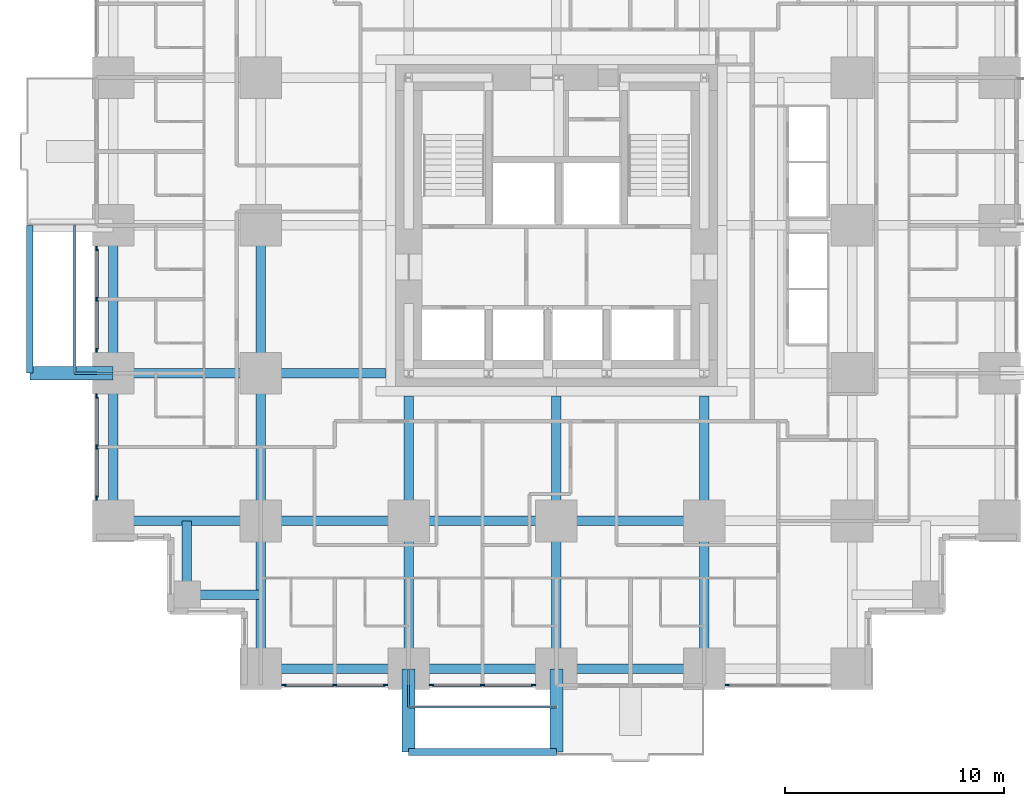
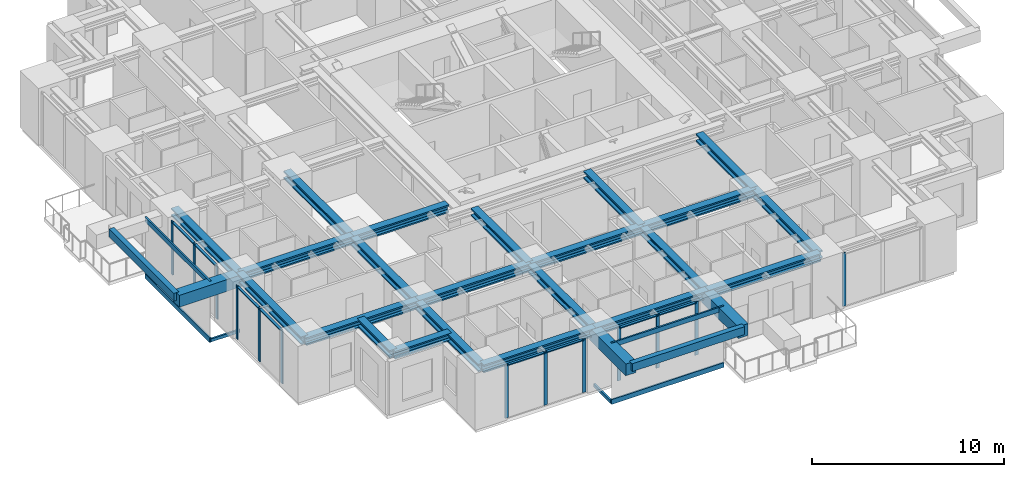
# One storey, part 2 of 15: 27 beams, 27 members, 5 elements without a shape of their own.
"""IFC4 building model written with IfcOpenShell, lengths in metres."""

from ifc_helpers import new_model, si_unit, direction, frame, origin, origin_2d, place, context, subcontext, project, spatial, rectangle, hollow_rectangle, i_section, extrude, material, material_profile, profile_set, type_object, element, aggregate, save


model = new_model("IFC4")

# Units and contexts
model_context = context("Model", 3, precision=1e-05, world=origin(), true_north=direction((0.0, 1.0)))
body_context = subcontext(model_context, "Body", "Model", "MODEL_VIEW")
ifc_project = project(units=[si_unit("LENGTHUNIT", "METRE"), si_unit("AREAUNIT", "SQUARE_METRE"), si_unit("VOLUMEUNIT", "CUBIC_METRE"), si_unit("PLANEANGLEUNIT", "RADIAN"), si_unit("MASSUNIT", "GRAM", prefix="KILO")], contexts=[model_context])

# Site, building, storey
site_placement = place(None, origin())
site = spatial("IfcSite", under=ifc_project, at=site_placement, CompositionType="ELEMENT")
building_placement = place(site_placement, origin())
building = spatial("IfcBuilding", under=site, at=building_placement, Name="Nyansa Garden Tower", CompositionType="ELEMENT")
storey_placement = place(building_placement, frame((0.0, 0.0, 36.0)))
storey = spatial("IfcBuildingStorey", under=building, at=storey_placement, Name="L09", CompositionType="ELEMENT", Elevation=36.0)

# Beams
ifc_material_1 = material(Name="Concrete C70/85", Category="concrete")
ifc_material_profile_1 = material_profile(ifc_material_1, rectangle(XDim=0.60009765625, YDim=0.75, at=origin_2d()), Name="RC 600x750")
ifc_profile_set_1 = profile_set([ifc_material_profile_1], Name="Concrete C70/85")
beam_type_1 = type_object("IfcBeamType", Name="Balcony cantilever beam CB1 RC 600x750", PredefinedType="BEAM", material=ifc_profile_set_1)
for number, where, z_axis, x_axis, name in (
    (1, (13.5, 0.0, 2.985107421875), (0.0, -1.0, 0.0), (1.0, 0.0, 0.0), "Balcony cantilever beam L10"),
    (2, (20.25, 0.0, 2.985107421875), (0.0, -1.0, 0.0), (1.0, 0.0, 0.0), "Balcony cantilever beam L10"),
    (3, (0.0, 13.5, 2.985107421875), (-1.0, 0.0, 0.0), (0.0, -1.0, 0.0), "Balcony cantilever beam L10"),
):
    element("IfcBeam", number, at=place(storey_placement, frame(where, z_axis=z_axis, x_axis=x_axis)), inside=storey, type_object=beam_type_1, Name=name, PredefinedType="BEAM", context=body_context, shape_type="SweptSolid", body=[
        extrude(rectangle(XDim=0.60009765625, YDim=0.75, at=origin_2d()), origin(), (0.0, 0.0, 1.0), 3.800048828125),
    ])
ifc_material_2 = material(Name="Concrete C70/85", Category="concrete")
ifc_material_profile_2 = material_profile(ifc_material_2, rectangle(XDim=0.300048828125, YDim=0.5, at=origin_2d()), Name="RC 300x500")
ifc_profile_set_2 = profile_set([ifc_material_profile_2], Name="Concrete C70/85")
beam_type_2 = type_object("IfcBeamType", Name="Balcony edge beam BE1 RC 300x500", PredefinedType="BEAM", material=ifc_profile_set_2)
for number, where, z_axis, x_axis, name in (
    (4, (13.5, -3.800048828125, 3.110107421875), (1.0, 0.0, 0.0), (0.0, 1.0, 0.0), "Balcony edge beam L10"),
    (5, (-3.800048828125, 13.5, 3.110107421875), (0.0, 1.0, 0.0), (-1.0, 0.0, 0.0), "Balcony edge beam L10"),
):
    element("IfcBeam", number, at=place(storey_placement, frame(where, z_axis=z_axis, x_axis=x_axis)), inside=storey, type_object=beam_type_2, Name=name, PredefinedType="BEAM", context=body_context, shape_type="SweptSolid", body=[
        extrude(rectangle(XDim=0.300048828125, YDim=0.5, at=origin_2d()), origin(), (0.0, 0.0, 1.0), 6.75),
    ])

# Curtain wall, members
ifc_material_3 = material(Name="Black anodised aluminium, dark tinted double glazing", Category="aluminium")
curtain_wall_type = type_object("IfcCurtainWallType", Name="Inner skin curtain wall ISW-A", PredefinedType="USERDEFINED", material=ifc_material_3)
curtain_wall_1_placement = place(storey_placement, origin())
curtain_wall_1 = element("IfcCurtainWall", 6, at=curtain_wall_1_placement, inside=storey, type_object=curtain_wall_type, Name="Inner skin curtain wall L09 W", ObjectType="UNITISED CURTAIN WALL", PredefinedType="USERDEFINED")
ifc_material_4 = material(Name="Black anodised aluminium", Category="aluminium")
ifc_material_profile_3 = material_profile(ifc_material_4, rectangle(XDim=0.06494140625, YDim=0.199951171875, at=origin_2d()), Name="Mullion 200x65")
ifc_profile_set_3 = profile_set([ifc_material_profile_3], Name="Black anodised aluminium")
member_type_1 = type_object("IfcMemberType", Name="Mullion ISW-A 200x65", PredefinedType="MULLION", material=ifc_profile_set_3)
member_1_placement = place(storey_placement, frame((-0.75, 19.199951171875, 0.0), z_axis=(0.0, 0.0, 1.0), x_axis=(1.0, 0.0, 0.0)))
member_1 = element("IfcMember", 7, at=member_1_placement, type_object=member_type_1, Name="ISW-A mullion 1", PredefinedType="MULLION", context=body_context, shape_type="SweptSolid", body=[
    extrude(rectangle(XDim=0.06494140625, YDim=0.199951171875, at=origin_2d()), origin(), (0.0, 0.0, 1.0), 3.375),
])
member_2_placement = place(storey_placement, frame((-0.75, 16.875, 0.0), z_axis=(0.0, 0.0, 1.0), x_axis=(1.0, 0.0, 0.0)))
member_2 = element("IfcMember", 8, at=member_2_placement, type_object=member_type_1, Name="ISW-A mullion 2", PredefinedType="MULLION", context=body_context, shape_type="SweptSolid", body=[
    extrude(rectangle(XDim=0.06494140625, YDim=0.199951171875, at=origin_2d()), origin(), (0.0, 0.0, 1.0), 3.375),
])
member_3_placement = place(storey_placement, frame((-0.75, 14.550048828125, 0.0), z_axis=(0.0, 0.0, 1.0), x_axis=(1.0, 0.0, 0.0)))
member_3 = element("IfcMember", 9, at=member_3_placement, type_object=member_type_1, Name="ISW-A mullion 3", PredefinedType="MULLION", context=body_context, shape_type="SweptSolid", body=[
    extrude(rectangle(XDim=0.06494140625, YDim=0.199951171875, at=origin_2d()), origin(), (0.0, 0.0, 1.0), 3.375),
])

curtain_wall_2_placement = place(storey_placement, origin())
curtain_wall_2 = element("IfcCurtainWall", 10, at=curtain_wall_2_placement, inside=storey, type_object=curtain_wall_type, Name="Inner skin curtain wall L09 W", ObjectType="UNITISED CURTAIN WALL", PredefinedType="USERDEFINED")
member_4_placement = place(storey_placement, frame((-0.75, 12.449951171875, 0.0), z_axis=(0.0, 0.0, 1.0), x_axis=(1.0, 0.0, 0.0)))
member_4 = element("IfcMember", 11, at=member_4_placement, type_object=member_type_1, Name="ISW-A mullion 1", PredefinedType="MULLION", context=body_context, shape_type="SweptSolid", body=[
    extrude(rectangle(XDim=0.06494140625, YDim=0.199951171875, at=origin_2d()), origin(), (0.0, 0.0, 1.0), 3.375),
])
member_5_placement = place(storey_placement, frame((-0.75, 10.125, 0.0), z_axis=(0.0, 0.0, 1.0), x_axis=(1.0, 0.0, 0.0)))
member_5 = element("IfcMember", 12, at=member_5_placement, type_object=member_type_1, Name="ISW-A mullion 2", PredefinedType="MULLION", context=body_context, shape_type="SweptSolid", body=[
    extrude(rectangle(XDim=0.06494140625, YDim=0.199951171875, at=origin_2d()), origin(), (0.0, 0.0, 1.0), 3.375),
])
member_6_placement = place(storey_placement, frame((-0.75, 7.800048828125, 0.0), z_axis=(0.0, 0.0, 1.0), x_axis=(1.0, 0.0, 0.0)))
member_6 = element("IfcMember", 13, at=member_6_placement, type_object=member_type_1, Name="ISW-A mullion 3", PredefinedType="MULLION", context=body_context, shape_type="SweptSolid", body=[
    extrude(rectangle(XDim=0.06494140625, YDim=0.199951171875, at=origin_2d()), origin(), (0.0, 0.0, 1.0), 3.375),
])

curtain_wall_3_placement = place(storey_placement, origin())
curtain_wall_3 = element("IfcCurtainWall", 14, at=curtain_wall_3_placement, inside=storey, type_object=curtain_wall_type, Name="Inner skin curtain wall L09 S", ObjectType="UNITISED CURTAIN WALL", PredefinedType="USERDEFINED")
member_7_placement = place(storey_placement, frame((7.800048828125, -0.75, 0.0), z_axis=(0.0, 0.0, 1.0), x_axis=(0.0, 1.0, 0.0)))
member_7 = element("IfcMember", 15, at=member_7_placement, type_object=member_type_1, Name="ISW-A mullion 1", PredefinedType="MULLION", context=body_context, shape_type="SweptSolid", body=[
    extrude(rectangle(XDim=0.06494140625, YDim=0.199951171875, at=origin_2d()), origin(), (0.0, 0.0, 1.0), 3.375),
])
member_8_placement = place(storey_placement, frame((10.125, -0.75, 0.0), z_axis=(0.0, 0.0, 1.0), x_axis=(0.0, 1.0, 0.0)))
member_8 = element("IfcMember", 16, at=member_8_placement, type_object=member_type_1, Name="ISW-A mullion 2", PredefinedType="MULLION", context=body_context, shape_type="SweptSolid", body=[
    extrude(rectangle(XDim=0.06494140625, YDim=0.199951171875, at=origin_2d()), origin(), (0.0, 0.0, 1.0), 3.375),
])
member_9_placement = place(storey_placement, frame((12.449951171875, -0.75, 0.0), z_axis=(0.0, 0.0, 1.0), x_axis=(0.0, 1.0, 0.0)))
member_9 = element("IfcMember", 17, at=member_9_placement, type_object=member_type_1, Name="ISW-A mullion 3", PredefinedType="MULLION", context=body_context, shape_type="SweptSolid", body=[
    extrude(rectangle(XDim=0.06494140625, YDim=0.199951171875, at=origin_2d()), origin(), (0.0, 0.0, 1.0), 3.375),
])

curtain_wall_4_placement = place(storey_placement, origin())
curtain_wall_4 = element("IfcCurtainWall", 18, at=curtain_wall_4_placement, inside=storey, type_object=curtain_wall_type, Name="Inner skin curtain wall L09 S", ObjectType="UNITISED CURTAIN WALL", PredefinedType="USERDEFINED")
member_10_placement = place(storey_placement, frame((14.550048828125, -0.75, 0.0), z_axis=(0.0, 0.0, 1.0), x_axis=(0.0, 1.0, 0.0)))
member_10 = element("IfcMember", 19, at=member_10_placement, type_object=member_type_1, Name="ISW-A mullion 1", PredefinedType="MULLION", context=body_context, shape_type="SweptSolid", body=[
    extrude(rectangle(XDim=0.06494140625, YDim=0.199951171875, at=origin_2d()), origin(), (0.0, 0.0, 1.0), 3.375),
])
member_11_placement = place(storey_placement, frame((16.875, -0.75, 0.0), z_axis=(0.0, 0.0, 1.0), x_axis=(0.0, 1.0, 0.0)))
member_11 = element("IfcMember", 20, at=member_11_placement, type_object=member_type_1, Name="ISW-A mullion 2", PredefinedType="MULLION", context=body_context, shape_type="SweptSolid", body=[
    extrude(rectangle(XDim=0.06494140625, YDim=0.199951171875, at=origin_2d()), origin(), (0.0, 0.0, 1.0), 3.375),
])
member_12_placement = place(storey_placement, frame((19.199951171875, -0.75, 0.0), z_axis=(0.0, 0.0, 1.0), x_axis=(0.0, 1.0, 0.0)))
member_12 = element("IfcMember", 21, at=member_12_placement, type_object=member_type_1, Name="ISW-A mullion 3", PredefinedType="MULLION", context=body_context, shape_type="SweptSolid", body=[
    extrude(rectangle(XDim=0.06494140625, YDim=0.199951171875, at=origin_2d()), origin(), (0.0, 0.0, 1.0), 3.375),
])

# Curtain wall, member
curtain_wall_5_placement = place(storey_placement, origin())
curtain_wall_5 = element("IfcCurtainWall", 22, at=curtain_wall_5_placement, inside=storey, type_object=curtain_wall_type, Name="Inner skin curtain wall L09 S", ObjectType="UNITISED CURTAIN WALL", PredefinedType="USERDEFINED")
member_13_placement = place(storey_placement, frame((28.050048828125, -0.75, 0.0), z_axis=(0.0, 0.0, 1.0), x_axis=(0.0, 1.0, 0.0)))
member_13 = element("IfcMember", 23, at=member_13_placement, type_object=member_type_1, Name="ISW-A mullion 1", PredefinedType="MULLION", context=body_context, shape_type="SweptSolid", body=[
    extrude(rectangle(XDim=0.06494140625, YDim=0.199951171875, at=origin_2d()), origin(), (0.0, 0.0, 1.0), 3.375),
])
aggregate(curtain_wall_5, [member_13])

# Members
ifc_material_5 = material(Name="Steel S355, black powder coated", Category="steel")
ifc_material_profile_4 = material_profile(ifc_material_5, hollow_rectangle(XDim=0.10009765625, YDim=0.199951171875, WallThickness=0.008056640625, at=origin_2d()), Name="RHS 200x100x8")
ifc_profile_set_4 = profile_set([ifc_material_profile_4], Name="Steel S355, black powder coated")
member_type_2 = type_object("IfcMemberType", Name="Outer skin bracket arm RHS 200x100x8", PredefinedType="USERDEFINED", material=ifc_profile_set_4)
for number, where, z_axis, x_axis, name in (
    (24, (0.0, 13.5, -0.375), (-1.0, 0.0, 0.0), (0.0, -1.0, 0.0), "Outer skin bracket arm"),
    (25, (13.5, 0.0, -0.375), (0.0, -1.0, 0.0), (1.0, 0.0, 0.0), "Outer skin bracket arm"),
):
    element("IfcMember", number, at=place(storey_placement, frame(where, z_axis=z_axis, x_axis=x_axis)), inside=storey, type_object=member_type_2, Name=name, ObjectType="OUTER SKIN BRACKET", PredefinedType="USERDEFINED", context=body_context, shape_type="SweptSolid", body=[
        extrude(hollow_rectangle(XDim=0.10009765625, YDim=0.199951171875, WallThickness=0.008056640625, at=origin_2d()), origin(), (0.0, 0.0, 1.0), 1.75),
    ])
ifc_material_6 = material(Name="Steel S355, black powder coated", Category="steel")
ifc_material_profile_5 = material_profile(ifc_material_6, hollow_rectangle(XDim=0.10009765625, YDim=0.300048828125, WallThickness=0.010009765625, at=origin_2d()), Name="RHS 300x100x10")
ifc_profile_set_5 = profile_set([ifc_material_profile_5], Name="Steel S355, black powder coated")
member_type_3 = type_object("IfcMemberType", Name="Outer skin rail RHS 300x100x10", PredefinedType="USERDEFINED", material=ifc_profile_set_5)
for number, where, z_axis, x_axis, name in (
    (26, (-1.75, 13.5, -0.375), (0.0, 1.0, 0.0), (-1.0, 0.0, 0.0), "Outer skin rail L09"),
    (27, (-1.75, 13.5, 3.22509765625), (0.0, 1.0, 0.0), (-1.0, 0.0, 0.0), "Outer skin rail L09 head"),
    (28, (13.5, -1.75, -0.375), (1.0, 0.0, 0.0), (0.0, 1.0, 0.0), "Outer skin rail L09"),
    (29, (13.5, -1.75, 3.22509765625), (1.0, 0.0, 0.0), (0.0, 1.0, 0.0), "Outer skin rail L09 head"),
):
    element("IfcMember", number, at=place(storey_placement, frame(where, z_axis=z_axis, x_axis=x_axis)), inside=storey, type_object=member_type_3, Name=name, ObjectType="OUTER SKIN RAIL", PredefinedType="USERDEFINED", context=body_context, shape_type="SweptSolid", body=[
        extrude(hollow_rectangle(XDim=0.10009765625, YDim=0.300048828125, WallThickness=0.010009765625, at=origin_2d()), origin(), (0.0, 0.0, 1.0), 6.75),
    ])

# Beams
ifc_material_7 = material(Name="Steel S355", Category="steel")
ifc_material_profile_6 = material_profile(ifc_material_7, i_section(OverallWidth=0.431884765625, OverallDepth=0.498046875, WebThickness=0.0556640625, FlangeThickness=0.0888671875, FilletRadius=0.014892578125, at=origin_2d()), Name="HD 400x744")
ifc_profile_set_6 = profile_set([ifc_material_profile_6], Name="Steel S355")
beam_type_3 = type_object("IfcBeamType", Name="Steel beam SBA1-744 HD 400x744", PredefinedType="BEAM", material=ifc_profile_set_6)
for number, where, z_axis, x_axis, name in (
    (30, (0.0, 6.75, 3.1259765625), (1.0, 0.0, 0.0), (0.0, 1.0, 0.0), "Steel beam 2/E-3/E L10"),
    (31, (0.0, 13.5, 3.1259765625), (1.0, 0.0, 0.0), (0.0, 1.0, 0.0), "Steel beam 2/F-3/F L10"),
    (32, (6.75, 0.0, 3.1259765625), (0.0, 1.0, 0.0), (-1.0, 0.0, 0.0), "Steel beam 3/D-3/E L10"),
    (33, (6.75, 6.75, 3.1259765625), (0.0, 1.0, 0.0), (-1.0, 0.0, 0.0), "Steel beam 3/E-3/F L10"),
    (34, (6.75, 6.75, 3.1259765625), (1.0, 0.0, 0.0), (0.0, 1.0, 0.0), "Steel beam 3/E-4/E L10"),
    (35, (6.75, 13.5, 3.1259765625), (0.0, 1.0, 0.0), (-1.0, 0.0, 0.0), "Steel beam 3/F-3/G L10"),
):
    element("IfcBeam", number, at=place(storey_placement, frame(where, z_axis=z_axis, x_axis=x_axis)), inside=storey, type_object=beam_type_3, Name=name, PredefinedType="BEAM", context=body_context, shape_type="SweptSolid", body=[
        extrude(i_section(OverallWidth=0.431884765625, OverallDepth=0.498046875, WebThickness=0.0556640625, FlangeThickness=0.0888671875, FilletRadius=0.014892578125, at=origin_2d()), origin(), (0.0, 0.0, 1.0), 6.75),
    ])
beam_1_placement = place(storey_placement, frame((6.75, 13.5, 3.1259765625), z_axis=(1.0, 0.0, 0.0), x_axis=(0.0, 1.0, 0.0)))
element("IfcBeam", 36, at=beam_1_placement, inside=storey, type_object=beam_type_3, Name="Steel beam 3/F-12.450/F L10", PredefinedType="BEAM", context=body_context, shape_type="SweptSolid", body=[
    extrude(i_section(OverallWidth=0.431884765625, OverallDepth=0.498046875, WebThickness=0.0556640625, FlangeThickness=0.0888671875, FilletRadius=0.014892578125, at=origin_2d()), origin(), (0.0, 0.0, 1.0), 5.699951171875),
])
beam_2_placement = place(storey_placement, frame((13.5, 0.0, 3.1259765625), z_axis=(0.0, 1.0, 0.0), x_axis=(-1.0, 0.0, 0.0)))
element("IfcBeam", 37, at=beam_2_placement, inside=storey, type_object=beam_type_3, Name="Steel beam 4/D-4/E L10", PredefinedType="BEAM", context=body_context, shape_type="SweptSolid", body=[
    extrude(i_section(OverallWidth=0.431884765625, OverallDepth=0.498046875, WebThickness=0.0556640625, FlangeThickness=0.0888671875, FilletRadius=0.014892578125, at=origin_2d()), origin(), (0.0, 0.0, 1.0), 6.75),
])
beam_3_placement = place(storey_placement, frame((13.5, 6.75, 3.1259765625), z_axis=(0.0, 1.0, 0.0), x_axis=(-1.0, 0.0, 0.0)))
element("IfcBeam", 38, at=beam_3_placement, inside=storey, type_object=beam_type_3, Name="Steel beam 4/E-4/12.450 L10", PredefinedType="BEAM", context=body_context, shape_type="SweptSolid", body=[
    extrude(i_section(OverallWidth=0.431884765625, OverallDepth=0.498046875, WebThickness=0.0556640625, FlangeThickness=0.0888671875, FilletRadius=0.014892578125, at=origin_2d()), origin(), (0.0, 0.0, 1.0), 5.699951171875),
])
for number, where, z_axis, x_axis, name in (
    (39, (13.5, 6.75, 3.1259765625), (1.0, 0.0, 0.0), (0.0, 1.0, 0.0), "Steel beam 4/E-5/E L10"),
    (40, (20.25, 0.0, 3.1259765625), (0.0, 1.0, 0.0), (-1.0, 0.0, 0.0), "Steel beam 5/D-5/E L10"),
):
    element("IfcBeam", number, at=place(storey_placement, frame(where, z_axis=z_axis, x_axis=x_axis)), inside=storey, type_object=beam_type_3, Name=name, PredefinedType="BEAM", context=body_context, shape_type="SweptSolid", body=[
        extrude(i_section(OverallWidth=0.431884765625, OverallDepth=0.498046875, WebThickness=0.0556640625, FlangeThickness=0.0888671875, FilletRadius=0.014892578125, at=origin_2d()), origin(), (0.0, 0.0, 1.0), 6.75),
    ])
beam_4_placement = place(storey_placement, frame((20.25, 6.75, 3.1259765625), z_axis=(0.0, 1.0, 0.0), x_axis=(-1.0, 0.0, 0.0)))
element("IfcBeam", 41, at=beam_4_placement, inside=storey, type_object=beam_type_3, Name="Steel beam 5/E-5/12.450 L10", PredefinedType="BEAM", context=body_context, shape_type="SweptSolid", body=[
    extrude(i_section(OverallWidth=0.431884765625, OverallDepth=0.498046875, WebThickness=0.0556640625, FlangeThickness=0.0888671875, FilletRadius=0.014892578125, at=origin_2d()), origin(), (0.0, 0.0, 1.0), 5.699951171875),
])
for number, where, z_axis, x_axis, name in (
    (42, (20.25, 6.75, 3.1259765625), (1.0, 0.0, 0.0), (0.0, 1.0, 0.0), "Steel beam 5/E-6/E L10"),
    (43, (27.0, 0.0, 3.1259765625), (0.0, 1.0, 0.0), (-1.0, 0.0, 0.0), "Steel beam 6/D-6/E L10"),
):
    element("IfcBeam", number, at=place(storey_placement, frame(where, z_axis=z_axis, x_axis=x_axis)), inside=storey, type_object=beam_type_3, Name=name, PredefinedType="BEAM", context=body_context, shape_type="SweptSolid", body=[
        extrude(i_section(OverallWidth=0.431884765625, OverallDepth=0.498046875, WebThickness=0.0556640625, FlangeThickness=0.0888671875, FilletRadius=0.014892578125, at=origin_2d()), origin(), (0.0, 0.0, 1.0), 6.75),
    ])
beam_5_placement = place(storey_placement, frame((27.0, 6.75, 3.1259765625), z_axis=(0.0, 1.0, 0.0), x_axis=(-1.0, 0.0, 0.0)))
element("IfcBeam", 44, at=beam_5_placement, inside=storey, type_object=beam_type_3, Name="Steel beam 6/E-6/12.450 L10", PredefinedType="BEAM", context=body_context, shape_type="SweptSolid", body=[
    extrude(i_section(OverallWidth=0.431884765625, OverallDepth=0.498046875, WebThickness=0.0556640625, FlangeThickness=0.0888671875, FilletRadius=0.014892578125, at=origin_2d()), origin(), (0.0, 0.0, 1.0), 5.699951171875),
])
ifc_material_8 = material(Name="Steel S355", Category="steel")
ifc_material_profile_7 = material_profile(ifc_material_8, i_section(OverallWidth=0.431884765625, OverallDepth=0.498046875, WebThickness=0.0556640625, FlangeThickness=0.0888671875, FilletRadius=0.014892578125, at=origin_2d()), Name="HD 400x744")
ifc_profile_set_7 = profile_set([ifc_material_profile_7], Name="Steel S355")
beam_type_4 = type_object("IfcBeamType", Name="Steel beam SEBA-744 HD 400x744", PredefinedType="BEAM", material=ifc_profile_set_7)
for number, where, z_axis, x_axis, name in (
    (45, (0.0, 6.75, 3.1259765625), (0.0, 1.0, 0.0), (-1.0, 0.0, 0.0), "Steel edge beam 2/E-2/F L10"),
    (46, (0.0, 13.5, 3.1259765625), (0.0, 1.0, 0.0), (-1.0, 0.0, 0.0), "Steel edge beam 2/F-2/G L10"),
    (47, (6.75, 0.0, 3.1259765625), (1.0, 0.0, 0.0), (0.0, 1.0, 0.0), "Steel edge beam 3/D-4/D L10"),
    (48, (13.5, 0.0, 3.1259765625), (1.0, 0.0, 0.0), (0.0, 1.0, 0.0), "Steel edge beam 4/D-5/D L10"),
    (49, (20.25, 0.0, 3.1259765625), (1.0, 0.0, 0.0), (0.0, 1.0, 0.0), "Steel edge beam 5/D-6/D L10"),
):
    element("IfcBeam", number, at=place(storey_placement, frame(where, z_axis=z_axis, x_axis=x_axis)), inside=storey, type_object=beam_type_4, Name=name, PredefinedType="BEAM", context=body_context, shape_type="SweptSolid", body=[
        extrude(i_section(OverallWidth=0.431884765625, OverallDepth=0.498046875, WebThickness=0.0556640625, FlangeThickness=0.0888671875, FilletRadius=0.014892578125, at=origin_2d()), origin(), (0.0, 0.0, 1.0), 6.75),
    ])
ifc_material_9 = material(Name="Steel S355", Category="steel")
ifc_material_profile_8 = material_profile(ifc_material_9, i_section(OverallWidth=0.431884765625, OverallDepth=0.498046875, WebThickness=0.0556640625, FlangeThickness=0.0888671875, FilletRadius=0.014892578125, at=origin_2d()), Name="HD 400x744")
ifc_profile_set_8 = profile_set([ifc_material_profile_8], Name="Steel S355")
beam_type_5 = type_object("IfcBeamType", Name="Steel beam SSB1-744 HD 400x744", PredefinedType="BEAM", material=ifc_profile_set_8)
for number, where, z_axis, x_axis, name in (
    (50, (3.375, 3.375, 3.1259765625), (0.0, 1.0, 0.0), (-1.0, 0.0, 0.0), "Steel step beam 3.375/3.375 L10"),
    (51, (3.375, 3.375, 3.1259765625), (1.0, 0.0, 0.0), (0.0, 1.0, 0.0), "Steel step beam 3.375/3.375 L10"),
):
    element("IfcBeam", number, at=place(storey_placement, frame(where, z_axis=z_axis, x_axis=x_axis)), inside=storey, type_object=beam_type_5, Name=name, PredefinedType="BEAM", context=body_context, shape_type="SweptSolid", body=[
        extrude(i_section(OverallWidth=0.431884765625, OverallDepth=0.498046875, WebThickness=0.0556640625, FlangeThickness=0.0888671875, FilletRadius=0.014892578125, at=origin_2d()), origin(), (0.0, 0.0, 1.0), 3.375),
    ])

# Member
ifc_material_10 = material(Name="Black anodised aluminium", Category="aluminium")
ifc_material_profile_9 = material_profile(ifc_material_10, rectangle(XDim=0.14990234375, YDim=0.06494140625, at=origin_2d()), Name="Transom 150x65")
ifc_profile_set_9 = profile_set([ifc_material_profile_9], Name="Black anodised aluminium")
member_type_4 = type_object("IfcMemberType", Name="Transom ISW-A 150x65", PredefinedType="USERDEFINED", material=ifc_profile_set_9)
member_14_placement = place(storey_placement, frame((-0.75, 19.16748046875, 3.342529296875), z_axis=(0.0, -1.0, 0.0), x_axis=(1.0, 0.0, 0.0)))
member_14 = element("IfcMember", 52, at=member_14_placement, type_object=member_type_4, Name="ISW-A transom 1", ObjectType="TRANSOM", PredefinedType="USERDEFINED", context=body_context, shape_type="SweptSolid", body=[
    extrude(rectangle(XDim=0.14990234375, YDim=0.06494140625, at=origin_2d()), origin(), (0.0, 0.0, 1.0), 2.260009765625),
])

member_15_placement = place(storey_placement, frame((-0.75, 16.842529296875, 3.342529296875), z_axis=(0.0, -1.0, 0.0), x_axis=(1.0, 0.0, 0.0)))
member_15 = element("IfcMember", 53, at=member_15_placement, type_object=member_type_4, Name="ISW-A transom 2", ObjectType="TRANSOM", PredefinedType="USERDEFINED", context=body_context, shape_type="SweptSolid", body=[
    extrude(rectangle(XDim=0.14990234375, YDim=0.06494140625, at=origin_2d()), origin(), (0.0, 0.0, 1.0), 2.260009765625),
])

aggregate(curtain_wall_1, [member_1, member_2, member_3, member_14, member_15])

member_16_placement = place(storey_placement, frame((-0.75, 12.41748046875, 3.342529296875), z_axis=(0.0, -1.0, 0.0), x_axis=(1.0, 0.0, 0.0)))
member_16 = element("IfcMember", 54, at=member_16_placement, type_object=member_type_4, Name="ISW-A transom 1", ObjectType="TRANSOM", PredefinedType="USERDEFINED", context=body_context, shape_type="SweptSolid", body=[
    extrude(rectangle(XDim=0.14990234375, YDim=0.06494140625, at=origin_2d()), origin(), (0.0, 0.0, 1.0), 2.260009765625),
])

member_17_placement = place(storey_placement, frame((-0.75, 10.092529296875, 3.342529296875), z_axis=(0.0, -1.0, 0.0), x_axis=(1.0, 0.0, 0.0)))
member_17 = element("IfcMember", 55, at=member_17_placement, type_object=member_type_4, Name="ISW-A transom 2", ObjectType="TRANSOM", PredefinedType="USERDEFINED", context=body_context, shape_type="SweptSolid", body=[
    extrude(rectangle(XDim=0.14990234375, YDim=0.06494140625, at=origin_2d()), origin(), (0.0, 0.0, 1.0), 2.260009765625),
])

aggregate(curtain_wall_2, [member_4, member_5, member_6, member_16, member_17])

member_18_placement = place(storey_placement, frame((7.83251953125, -0.75, 3.342529296875), z_axis=(1.0, 0.0, 0.0), x_axis=(0.0, 1.0, 0.0)))
member_18 = element("IfcMember", 56, at=member_18_placement, type_object=member_type_4, Name="ISW-A transom 1", ObjectType="TRANSOM", PredefinedType="USERDEFINED", context=body_context, shape_type="SweptSolid", body=[
    extrude(rectangle(XDim=0.14990234375, YDim=0.06494140625, at=origin_2d()), origin(), (0.0, 0.0, 1.0), 2.260009765625),
])

member_19_placement = place(storey_placement, frame((10.157470703125, -0.75, 3.342529296875), z_axis=(1.0, 0.0, 0.0), x_axis=(0.0, 1.0, 0.0)))
member_19 = element("IfcMember", 57, at=member_19_placement, type_object=member_type_4, Name="ISW-A transom 2", ObjectType="TRANSOM", PredefinedType="USERDEFINED", context=body_context, shape_type="SweptSolid", body=[
    extrude(rectangle(XDim=0.14990234375, YDim=0.06494140625, at=origin_2d()), origin(), (0.0, 0.0, 1.0), 2.260009765625),
])

aggregate(curtain_wall_3, [member_7, member_8, member_9, member_18, member_19])

member_20_placement = place(storey_placement, frame((14.58251953125, -0.75, 3.342529296875), z_axis=(1.0, 0.0, 0.0), x_axis=(0.0, 1.0, 0.0)))
member_20 = element("IfcMember", 58, at=member_20_placement, type_object=member_type_4, Name="ISW-A transom 1", ObjectType="TRANSOM", PredefinedType="USERDEFINED", context=body_context, shape_type="SweptSolid", body=[
    extrude(rectangle(XDim=0.14990234375, YDim=0.06494140625, at=origin_2d()), origin(), (0.0, 0.0, 1.0), 2.260009765625),
])

member_21_placement = place(storey_placement, frame((16.907470703125, -0.75, 3.342529296875), z_axis=(1.0, 0.0, 0.0), x_axis=(0.0, 1.0, 0.0)))
member_21 = element("IfcMember", 59, at=member_21_placement, type_object=member_type_4, Name="ISW-A transom 2", ObjectType="TRANSOM", PredefinedType="USERDEFINED", context=body_context, shape_type="SweptSolid", body=[
    extrude(rectangle(XDim=0.14990234375, YDim=0.06494140625, at=origin_2d()), origin(), (0.0, 0.0, 1.0), 2.260009765625),
])

aggregate(curtain_wall_4, [member_10, member_11, member_12, member_20, member_21])

save(model, "model.ifc")
